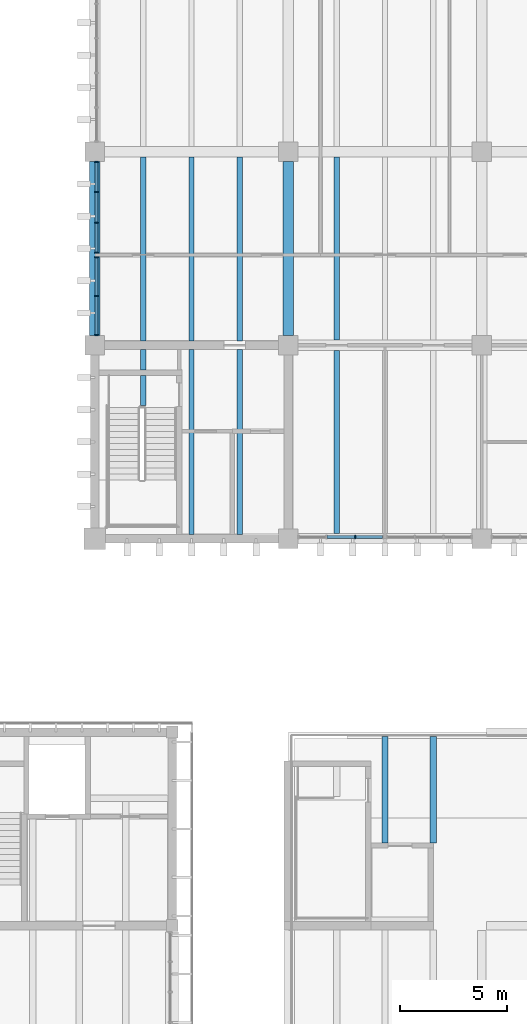
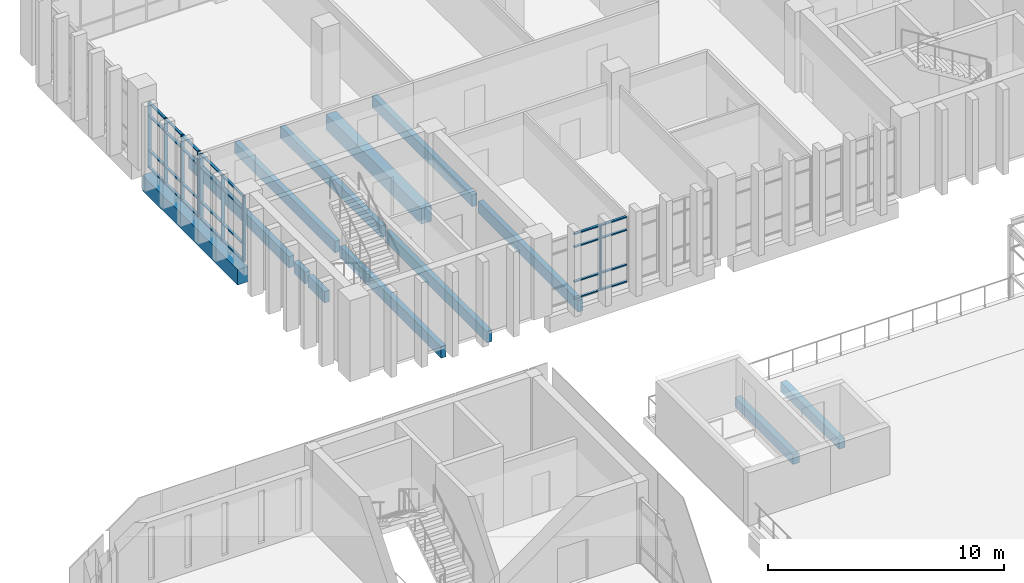
# One storey, part 23 of 74: 36 members, 13 beams, 3 elements without a shape of their own.
"""IFC4 building model written with IfcOpenShell, lengths in metres."""

from ifc_helpers import new_model, si_unit, direction, frame, origin, origin_2d, place, context, subcontext, project, spatial, rectangle, extrude, material, material_profile, profile_set, type_object, element, aggregate, save


model = new_model("IFC4")

# Units and contexts
model_context = context("Model", 3, precision=1e-05, world=origin(), true_north=direction((0.0, 1.0)))
body_context = subcontext(model_context, "Body", "Model", "MODEL_VIEW")
ifc_project = project(units=[si_unit("LENGTHUNIT", "METRE"), si_unit("AREAUNIT", "SQUARE_METRE"), si_unit("VOLUMEUNIT", "CUBIC_METRE"), si_unit("PLANEANGLEUNIT", "RADIAN"), si_unit("MASSUNIT", "GRAM", prefix="KILO")], contexts=[model_context])

# Site, building, storey
site_placement = place(None, origin())
site = spatial("IfcSite", under=ifc_project, at=site_placement, CompositionType="ELEMENT")
building_placement = place(site_placement, origin())
building = spatial("IfcBuilding", under=site, at=building_placement, Name="Merrow Basin Faculty of Sciences", CompositionType="ELEMENT")
storey_placement = place(building_placement, frame((0.0, 0.0, 13.5)))
storey = spatial("IfcBuildingStorey", under=building, at=storey_placement, Name="L03", CompositionType="ELEMENT", Elevation=13.5)

# Curtain wall, members
ifc_material_1 = material(Name="Aluminium alloy 6063", Category="aluminium")
curtain_wall_type = type_object("IfcCurtainWallType", Name="Unitised curtain wall 160", PredefinedType="NOTDEFINED", material=ifc_material_1)
curtain_wall_1_placement = place(storey_placement, origin())
curtain_wall_1 = element("IfcCurtainWall", 1, at=curtain_wall_1_placement, inside=storey, type_object=curtain_wall_type, Name="W curtain wall L03 1", PredefinedType="NOTDEFINED")
ifc_material_2 = material(Name="Aluminium alloy 6063", Category="aluminium")
ifc_material_profile_1 = material_profile(ifc_material_2, rectangle(XDim=0.159912109375, YDim=0.06005859375, at=origin_2d()))
ifc_profile_set_1 = profile_set([ifc_material_profile_1], Name="Aluminium alloy 6063")
member_type_1 = type_object("IfcMemberType", Name="Aluminium mullion 60x160", PredefinedType="MULLION", material=ifc_profile_set_1)
member_1_placement = place(storey_placement, frame((18.080078125, 151.47998046875, 0.0), z_axis=(0.0, 0.0, 1.0), x_axis=(-1.0, 0.0, 0.0)))
member_1 = element("IfcMember", 2, at=member_1_placement, type_object=member_type_1, Name="CW3 mullion 1", PredefinedType="MULLION", context=body_context, shape_type="SweptSolid", body=[
    extrude(rectangle(XDim=0.159912109375, YDim=0.06005859375, at=origin_2d()), origin(), (0.0, 0.0, 1.0), 3.39990234375),
])
member_2_placement = place(storey_placement, frame((18.080078125, 153.28759765625, 0.0), z_axis=(0.0, 0.0, 1.0), x_axis=(-1.0, 0.0, 0.0)))
member_2 = element("IfcMember", 3, at=member_2_placement, type_object=member_type_1, Name="CW3 mullion 2", PredefinedType="MULLION", context=body_context, shape_type="SweptSolid", body=[
    extrude(rectangle(XDim=0.159912109375, YDim=0.06005859375, at=origin_2d()), origin(), (0.0, 0.0, 1.0), 3.39990234375),
])
member_3_placement = place(storey_placement, frame((18.080078125, 155.094970703125, 0.0), z_axis=(0.0, 0.0, 1.0), x_axis=(-1.0, 0.0, 0.0)))
member_3 = element("IfcMember", 4, at=member_3_placement, type_object=member_type_1, Name="CW3 mullion 3", PredefinedType="MULLION", context=body_context, shape_type="SweptSolid", body=[
    extrude(rectangle(XDim=0.159912109375, YDim=0.06005859375, at=origin_2d()), origin(), (0.0, 0.0, 1.0), 3.39990234375),
])

curtain_wall_2_placement = place(storey_placement, origin())
curtain_wall_2 = element("IfcCurtainWall", 5, at=curtain_wall_2_placement, inside=storey, type_object=curtain_wall_type, Name="W curtain wall L03 2", PredefinedType="NOTDEFINED")
member_4_placement = place(storey_placement, frame((18.080078125, 155.304931640625, 0.0), z_axis=(0.0, 0.0, 1.0), x_axis=(-1.0, 0.0, 0.0)))
member_4 = element("IfcMember", 6, at=member_4_placement, type_object=member_type_1, Name="CW3 mullion 1", PredefinedType="MULLION", context=body_context, shape_type="SweptSolid", body=[
    extrude(rectangle(XDim=0.159912109375, YDim=0.06005859375, at=origin_2d()), origin(), (0.0, 0.0, 1.0), 3.39990234375),
])
member_5_placement = place(storey_placement, frame((18.080078125, 156.699951171875, 0.0), z_axis=(0.0, 0.0, 1.0), x_axis=(-1.0, 0.0, 0.0)))
member_5 = element("IfcMember", 7, at=member_5_placement, type_object=member_type_1, Name="CW3 mullion 2", PredefinedType="MULLION", context=body_context, shape_type="SweptSolid", body=[
    extrude(rectangle(XDim=0.159912109375, YDim=0.06005859375, at=origin_2d()), origin(), (0.0, 0.0, 1.0), 3.39990234375),
])
member_6_placement = place(storey_placement, frame((18.080078125, 158.125, 0.0), z_axis=(0.0, 0.0, 1.0), x_axis=(-1.0, 0.0, 0.0)))
member_6 = element("IfcMember", 8, at=member_6_placement, type_object=member_type_1, Name="CW3 mullion 3", PredefinedType="MULLION", context=body_context, shape_type="SweptSolid", body=[
    extrude(rectangle(XDim=0.159912109375, YDim=0.06005859375, at=origin_2d()), origin(), (0.0, 0.0, 1.0), 3.39990234375),
])
member_7_placement = place(storey_placement, frame((18.080078125, 159.52001953125, 0.0), z_axis=(0.0, 0.0, 1.0), x_axis=(-1.0, 0.0, 0.0)))
member_7 = element("IfcMember", 9, at=member_7_placement, type_object=member_type_1, Name="CW3 mullion 4", PredefinedType="MULLION", context=body_context, shape_type="SweptSolid", body=[
    extrude(rectangle(XDim=0.159912109375, YDim=0.06005859375, at=origin_2d()), origin(), (0.0, 0.0, 1.0), 3.39990234375),
])

# Curtain wall, member
curtain_wall_3_placement = place(storey_placement, origin())
curtain_wall_3 = element("IfcCurtainWall", 10, at=curtain_wall_3_placement, inside=storey, type_object=curtain_wall_type, Name="S curtain wall L03 1", PredefinedType="NOTDEFINED")
member_8_placement = place(storey_placement, frame((30.11669921875, 142.080078125, 0.0), z_axis=(0.0, 0.0, 1.0), x_axis=(0.0, 1.0, 0.0)))
member_8 = element("IfcMember", 11, at=member_8_placement, type_object=member_type_1, Name="CW3 mullion 3", PredefinedType="MULLION", context=body_context, shape_type="SweptSolid", body=[
    extrude(rectangle(XDim=0.159912109375, YDim=0.06005859375, at=origin_2d()), origin(), (0.0, 0.0, 1.0), 3.39990234375),
])

# Member
ifc_material_3 = material(Name="Aluminium alloy 6063", Category="aluminium")
ifc_material_profile_2 = material_profile(ifc_material_3, rectangle(XDim=0.1201171875, YDim=0.06005859375, at=origin_2d()))
ifc_profile_set_2 = profile_set([ifc_material_profile_2], Name="Aluminium alloy 6063")
member_type_2 = type_object("IfcMemberType", Name="Aluminium transom 60x120", PredefinedType="USERDEFINED", material=ifc_profile_set_2)
member_9_placement = place(storey_placement, frame((18.080078125, 151.510009765625, 0.030029296875), z_axis=(0.0, 1.0, 0.0), x_axis=(-1.0, 0.0, 0.0)))
member_9 = element("IfcMember", 12, at=member_9_placement, type_object=member_type_2, Name="CW3 transom 1.1", ObjectType="TRANSOM", PredefinedType="USERDEFINED", context=body_context, shape_type="SweptSolid", body=[
    extrude(rectangle(XDim=0.1201171875, YDim=0.06005859375, at=origin_2d()), origin(), (0.0, 0.0, 1.0), 1.74755859375),
])

member_10_placement = place(storey_placement, frame((18.080078125, 151.510009765625, 0.89990234375), z_axis=(0.0, 1.0, 0.0), x_axis=(-1.0, 0.0, 0.0)))
member_10 = element("IfcMember", 13, at=member_10_placement, type_object=member_type_2, Name="CW3 transom 1.2", ObjectType="TRANSOM", PredefinedType="USERDEFINED", context=body_context, shape_type="SweptSolid", body=[
    extrude(rectangle(XDim=0.1201171875, YDim=0.06005859375, at=origin_2d()), origin(), (0.0, 0.0, 1.0), 1.74755859375),
])

member_11_placement = place(storey_placement, frame((18.080078125, 151.510009765625, 2.699951171875), z_axis=(0.0, 1.0, 0.0), x_axis=(-1.0, 0.0, 0.0)))
member_11 = element("IfcMember", 14, at=member_11_placement, type_object=member_type_2, Name="CW3 transom 1.3", ObjectType="TRANSOM", PredefinedType="USERDEFINED", context=body_context, shape_type="SweptSolid", body=[
    extrude(rectangle(XDim=0.1201171875, YDim=0.06005859375, at=origin_2d()), origin(), (0.0, 0.0, 1.0), 1.74755859375),
])

member_12_placement = place(storey_placement, frame((18.080078125, 151.510009765625, 3.3701171875), z_axis=(0.0, 1.0, 0.0), x_axis=(-1.0, 0.0, 0.0)))
member_12 = element("IfcMember", 15, at=member_12_placement, type_object=member_type_2, Name="CW3 transom 1.4", ObjectType="TRANSOM", PredefinedType="USERDEFINED", context=body_context, shape_type="SweptSolid", body=[
    extrude(rectangle(XDim=0.1201171875, YDim=0.06005859375, at=origin_2d()), origin(), (0.0, 0.0, 1.0), 1.74755859375),
])

member_13_placement = place(storey_placement, frame((18.080078125, 153.3173828125, 0.030029296875), z_axis=(0.0, 1.0, 0.0), x_axis=(-1.0, 0.0, 0.0)))
member_13 = element("IfcMember", 16, at=member_13_placement, type_object=member_type_2, Name="CW3 transom 2.1", ObjectType="TRANSOM", PredefinedType="USERDEFINED", context=body_context, shape_type="SweptSolid", body=[
    extrude(rectangle(XDim=0.1201171875, YDim=0.06005859375, at=origin_2d()), origin(), (0.0, 0.0, 1.0), 1.74755859375),
])

member_14_placement = place(storey_placement, frame((18.080078125, 153.3173828125, 0.89990234375), z_axis=(0.0, 1.0, 0.0), x_axis=(-1.0, 0.0, 0.0)))
member_14 = element("IfcMember", 17, at=member_14_placement, type_object=member_type_2, Name="CW3 transom 2.2", ObjectType="TRANSOM", PredefinedType="USERDEFINED", context=body_context, shape_type="SweptSolid", body=[
    extrude(rectangle(XDim=0.1201171875, YDim=0.06005859375, at=origin_2d()), origin(), (0.0, 0.0, 1.0), 1.74755859375),
])

member_15_placement = place(storey_placement, frame((18.080078125, 153.3173828125, 2.699951171875), z_axis=(0.0, 1.0, 0.0), x_axis=(-1.0, 0.0, 0.0)))
member_15 = element("IfcMember", 18, at=member_15_placement, type_object=member_type_2, Name="CW3 transom 2.3", ObjectType="TRANSOM", PredefinedType="USERDEFINED", context=body_context, shape_type="SweptSolid", body=[
    extrude(rectangle(XDim=0.1201171875, YDim=0.06005859375, at=origin_2d()), origin(), (0.0, 0.0, 1.0), 1.74755859375),
])

member_16_placement = place(storey_placement, frame((18.080078125, 153.3173828125, 3.3701171875), z_axis=(0.0, 1.0, 0.0), x_axis=(-1.0, 0.0, 0.0)))
member_16 = element("IfcMember", 19, at=member_16_placement, type_object=member_type_2, Name="CW3 transom 2.4", ObjectType="TRANSOM", PredefinedType="USERDEFINED", context=body_context, shape_type="SweptSolid", body=[
    extrude(rectangle(XDim=0.1201171875, YDim=0.06005859375, at=origin_2d()), origin(), (0.0, 0.0, 1.0), 1.74755859375),
])

aggregate(curtain_wall_1, [member_1, member_2, member_3, member_9, member_10, member_11, member_12, member_13, member_14, member_15, member_16])

member_17_placement = place(storey_placement, frame((18.080078125, 155.3349609375, 0.030029296875), z_axis=(0.0, 1.0, 0.0), x_axis=(-1.0, 0.0, 0.0)))
member_17 = element("IfcMember", 20, at=member_17_placement, type_object=member_type_2, Name="CW3 transom 1.1", ObjectType="TRANSOM", PredefinedType="USERDEFINED", context=body_context, shape_type="SweptSolid", body=[
    extrude(rectangle(XDim=0.1201171875, YDim=0.06005859375, at=origin_2d()), origin(), (0.0, 0.0, 1.0), 1.3349609375),
])

member_18_placement = place(storey_placement, frame((18.080078125, 155.3349609375, 0.89990234375), z_axis=(0.0, 1.0, 0.0), x_axis=(-1.0, 0.0, 0.0)))
member_18 = element("IfcMember", 21, at=member_18_placement, type_object=member_type_2, Name="CW3 transom 1.2", ObjectType="TRANSOM", PredefinedType="USERDEFINED", context=body_context, shape_type="SweptSolid", body=[
    extrude(rectangle(XDim=0.1201171875, YDim=0.06005859375, at=origin_2d()), origin(), (0.0, 0.0, 1.0), 1.3349609375),
])

member_19_placement = place(storey_placement, frame((18.080078125, 155.3349609375, 2.699951171875), z_axis=(0.0, 1.0, 0.0), x_axis=(-1.0, 0.0, 0.0)))
member_19 = element("IfcMember", 22, at=member_19_placement, type_object=member_type_2, Name="CW3 transom 1.3", ObjectType="TRANSOM", PredefinedType="USERDEFINED", context=body_context, shape_type="SweptSolid", body=[
    extrude(rectangle(XDim=0.1201171875, YDim=0.06005859375, at=origin_2d()), origin(), (0.0, 0.0, 1.0), 1.3349609375),
])

member_20_placement = place(storey_placement, frame((18.080078125, 155.3349609375, 3.3701171875), z_axis=(0.0, 1.0, 0.0), x_axis=(-1.0, 0.0, 0.0)))
member_20 = element("IfcMember", 23, at=member_20_placement, type_object=member_type_2, Name="CW3 transom 1.4", ObjectType="TRANSOM", PredefinedType="USERDEFINED", context=body_context, shape_type="SweptSolid", body=[
    extrude(rectangle(XDim=0.1201171875, YDim=0.06005859375, at=origin_2d()), origin(), (0.0, 0.0, 1.0), 1.3349609375),
])

member_21_placement = place(storey_placement, frame((18.080078125, 156.72998046875, 0.030029296875), z_axis=(0.0, 1.0, 0.0), x_axis=(-1.0, 0.0, 0.0)))
member_21 = element("IfcMember", 24, at=member_21_placement, type_object=member_type_2, Name="CW3 transom 2.1", ObjectType="TRANSOM", PredefinedType="USERDEFINED", context=body_context, shape_type="SweptSolid", body=[
    extrude(rectangle(XDim=0.1201171875, YDim=0.06005859375, at=origin_2d()), origin(), (0.0, 0.0, 1.0), 1.364990234375),
])

member_22_placement = place(storey_placement, frame((18.080078125, 156.72998046875, 0.89990234375), z_axis=(0.0, 1.0, 0.0), x_axis=(-1.0, 0.0, 0.0)))
member_22 = element("IfcMember", 25, at=member_22_placement, type_object=member_type_2, Name="CW3 transom 2.2", ObjectType="TRANSOM", PredefinedType="USERDEFINED", context=body_context, shape_type="SweptSolid", body=[
    extrude(rectangle(XDim=0.1201171875, YDim=0.06005859375, at=origin_2d()), origin(), (0.0, 0.0, 1.0), 1.364990234375),
])

member_23_placement = place(storey_placement, frame((18.080078125, 156.72998046875, 2.699951171875), z_axis=(0.0, 1.0, 0.0), x_axis=(-1.0, 0.0, 0.0)))
member_23 = element("IfcMember", 26, at=member_23_placement, type_object=member_type_2, Name="CW3 transom 2.3", ObjectType="TRANSOM", PredefinedType="USERDEFINED", context=body_context, shape_type="SweptSolid", body=[
    extrude(rectangle(XDim=0.1201171875, YDim=0.06005859375, at=origin_2d()), origin(), (0.0, 0.0, 1.0), 1.364990234375),
])

member_24_placement = place(storey_placement, frame((18.080078125, 156.72998046875, 3.3701171875), z_axis=(0.0, 1.0, 0.0), x_axis=(-1.0, 0.0, 0.0)))
member_24 = element("IfcMember", 27, at=member_24_placement, type_object=member_type_2, Name="CW3 transom 2.4", ObjectType="TRANSOM", PredefinedType="USERDEFINED", context=body_context, shape_type="SweptSolid", body=[
    extrude(rectangle(XDim=0.1201171875, YDim=0.06005859375, at=origin_2d()), origin(), (0.0, 0.0, 1.0), 1.364990234375),
])

member_25_placement = place(storey_placement, frame((18.080078125, 158.155029296875, 0.030029296875), z_axis=(0.0, 1.0, 0.0), x_axis=(-1.0, 0.0, 0.0)))
member_25 = element("IfcMember", 28, at=member_25_placement, type_object=member_type_2, Name="CW3 transom 3.1", ObjectType="TRANSOM", PredefinedType="USERDEFINED", context=body_context, shape_type="SweptSolid", body=[
    extrude(rectangle(XDim=0.1201171875, YDim=0.06005859375, at=origin_2d()), origin(), (0.0, 0.0, 1.0), 1.3349609375),
])

member_26_placement = place(storey_placement, frame((18.080078125, 158.155029296875, 0.89990234375), z_axis=(0.0, 1.0, 0.0), x_axis=(-1.0, 0.0, 0.0)))
member_26 = element("IfcMember", 29, at=member_26_placement, type_object=member_type_2, Name="CW3 transom 3.2", ObjectType="TRANSOM", PredefinedType="USERDEFINED", context=body_context, shape_type="SweptSolid", body=[
    extrude(rectangle(XDim=0.1201171875, YDim=0.06005859375, at=origin_2d()), origin(), (0.0, 0.0, 1.0), 1.3349609375),
])

member_27_placement = place(storey_placement, frame((18.080078125, 158.155029296875, 2.699951171875), z_axis=(0.0, 1.0, 0.0), x_axis=(-1.0, 0.0, 0.0)))
member_27 = element("IfcMember", 30, at=member_27_placement, type_object=member_type_2, Name="CW3 transom 3.3", ObjectType="TRANSOM", PredefinedType="USERDEFINED", context=body_context, shape_type="SweptSolid", body=[
    extrude(rectangle(XDim=0.1201171875, YDim=0.06005859375, at=origin_2d()), origin(), (0.0, 0.0, 1.0), 1.3349609375),
])

member_28_placement = place(storey_placement, frame((18.080078125, 158.155029296875, 3.3701171875), z_axis=(0.0, 1.0, 0.0), x_axis=(-1.0, 0.0, 0.0)))
member_28 = element("IfcMember", 31, at=member_28_placement, type_object=member_type_2, Name="CW3 transom 3.4", ObjectType="TRANSOM", PredefinedType="USERDEFINED", context=body_context, shape_type="SweptSolid", body=[
    extrude(rectangle(XDim=0.1201171875, YDim=0.06005859375, at=origin_2d()), origin(), (0.0, 0.0, 1.0), 1.3349609375),
])

aggregate(curtain_wall_2, [member_4, member_5, member_6, member_7, member_17, member_18, member_19, member_20, member_21, member_22, member_23, member_24, member_25, member_26, member_27, member_28])

member_29_placement = place(storey_placement, frame((28.813232421875, 142.080078125, 0.030029296875), z_axis=(1.0, 0.0, 0.0), x_axis=(0.0, 1.0, 0.0)))
member_29 = element("IfcMember", 32, at=member_29_placement, type_object=member_type_2, Name="CW3 transom 2.1", ObjectType="TRANSOM", PredefinedType="USERDEFINED", context=body_context, shape_type="SweptSolid", body=[
    extrude(rectangle(XDim=0.1201171875, YDim=0.06005859375, at=origin_2d()), origin(), (0.0, 0.0, 1.0), 1.2734375),
])

member_30_placement = place(storey_placement, frame((28.813232421875, 142.080078125, 0.89990234375), z_axis=(1.0, 0.0, 0.0), x_axis=(0.0, 1.0, 0.0)))
member_30 = element("IfcMember", 33, at=member_30_placement, type_object=member_type_2, Name="CW3 transom 2.2", ObjectType="TRANSOM", PredefinedType="USERDEFINED", context=body_context, shape_type="SweptSolid", body=[
    extrude(rectangle(XDim=0.1201171875, YDim=0.06005859375, at=origin_2d()), origin(), (0.0, 0.0, 1.0), 1.2734375),
])

member_31_placement = place(storey_placement, frame((28.813232421875, 142.080078125, 2.699951171875), z_axis=(1.0, 0.0, 0.0), x_axis=(0.0, 1.0, 0.0)))
member_31 = element("IfcMember", 34, at=member_31_placement, type_object=member_type_2, Name="CW3 transom 2.3", ObjectType="TRANSOM", PredefinedType="USERDEFINED", context=body_context, shape_type="SweptSolid", body=[
    extrude(rectangle(XDim=0.1201171875, YDim=0.06005859375, at=origin_2d()), origin(), (0.0, 0.0, 1.0), 1.2734375),
])

member_32_placement = place(storey_placement, frame((28.813232421875, 142.080078125, 3.3701171875), z_axis=(1.0, 0.0, 0.0), x_axis=(0.0, 1.0, 0.0)))
member_32 = element("IfcMember", 35, at=member_32_placement, type_object=member_type_2, Name="CW3 transom 2.4", ObjectType="TRANSOM", PredefinedType="USERDEFINED", context=body_context, shape_type="SweptSolid", body=[
    extrude(rectangle(XDim=0.1201171875, YDim=0.06005859375, at=origin_2d()), origin(), (0.0, 0.0, 1.0), 1.2734375),
])

member_33_placement = place(storey_placement, frame((30.146728515625, 142.080078125, 0.030029296875), z_axis=(1.0, 0.0, 0.0), x_axis=(0.0, 1.0, 0.0)))
member_33 = element("IfcMember", 36, at=member_33_placement, type_object=member_type_2, Name="CW3 transom 3.1", ObjectType="TRANSOM", PredefinedType="USERDEFINED", context=body_context, shape_type="SweptSolid", body=[
    extrude(rectangle(XDim=0.1201171875, YDim=0.06005859375, at=origin_2d()), origin(), (0.0, 0.0, 1.0), 1.2431640625),
])

member_34_placement = place(storey_placement, frame((30.146728515625, 142.080078125, 0.89990234375), z_axis=(1.0, 0.0, 0.0), x_axis=(0.0, 1.0, 0.0)))
member_34 = element("IfcMember", 37, at=member_34_placement, type_object=member_type_2, Name="CW3 transom 3.2", ObjectType="TRANSOM", PredefinedType="USERDEFINED", context=body_context, shape_type="SweptSolid", body=[
    extrude(rectangle(XDim=0.1201171875, YDim=0.06005859375, at=origin_2d()), origin(), (0.0, 0.0, 1.0), 1.2431640625),
])

member_35_placement = place(storey_placement, frame((30.146728515625, 142.080078125, 2.699951171875), z_axis=(1.0, 0.0, 0.0), x_axis=(0.0, 1.0, 0.0)))
member_35 = element("IfcMember", 38, at=member_35_placement, type_object=member_type_2, Name="CW3 transom 3.3", ObjectType="TRANSOM", PredefinedType="USERDEFINED", context=body_context, shape_type="SweptSolid", body=[
    extrude(rectangle(XDim=0.1201171875, YDim=0.06005859375, at=origin_2d()), origin(), (0.0, 0.0, 1.0), 1.2431640625),
])

member_36_placement = place(storey_placement, frame((30.146728515625, 142.080078125, 3.3701171875), z_axis=(1.0, 0.0, 0.0), x_axis=(0.0, 1.0, 0.0)))
member_36 = element("IfcMember", 39, at=member_36_placement, type_object=member_type_2, Name="CW3 transom 3.4", ObjectType="TRANSOM", PredefinedType="USERDEFINED", context=body_context, shape_type="SweptSolid", body=[
    extrude(rectangle(XDim=0.1201171875, YDim=0.06005859375, at=origin_2d()), origin(), (0.0, 0.0, 1.0), 1.2431640625),
])

aggregate(curtain_wall_3, [member_8, member_29, member_30, member_31, member_32, member_33, member_34, member_35, member_36])

# Beams
ifc_material_4 = material(Name="Concrete C40/50", Category="concrete")
ifc_material_profile_3 = material_profile(ifc_material_4, rectangle(XDim=0.5, YDim=0.800048828125, at=origin_2d()))
ifc_profile_set_3 = profile_set([ifc_material_profile_3], Name="Concrete C40/50")
beam_type_1 = type_object("IfcBeamType", Name="Beam RC500x800 C40/50", PredefinedType="BEAM", material=ifc_profile_set_3)
for number, where, z_axis, x_axis, name in (
    (40, (18.0, 151.449951171875, -0.699951171875), (0.0, 1.0, 0.0), (-1.0, 0.0, 0.0), "B4 L03 013"),
    (41, (27.0, 151.449951171875, -0.699951171875), (0.0, 1.0, 0.0), (-1.0, 0.0, 0.0), "B4 L03 015"),
):
    element("IfcBeam", number, at=place(storey_placement, frame(where, z_axis=z_axis, x_axis=x_axis)), inside=storey, type_object=beam_type_1, Name=name, PredefinedType="BEAM", context=body_context, shape_type="SweptSolid", body=[
        extrude(rectangle(XDim=0.5, YDim=0.800048828125, at=origin_2d()), origin(), (0.0, 0.0, 1.0), 8.10009765625),
    ])
ifc_material_5 = material(Name="Concrete C40/50", Category="concrete")
ifc_material_profile_4 = material_profile(ifc_material_5, rectangle(XDim=0.300048828125, YDim=0.5, at=origin_2d()))
ifc_profile_set_4 = profile_set([ifc_material_profile_4], Name="Concrete C40/50")
beam_type_2 = type_object("IfcBeamType", Name="Terrace roof joist RC300x500 C40/50", PredefinedType="BEAM", material=ifc_profile_set_4)
for number, where, z_axis, x_axis, name in (
    (42, (31.5, 127.85009765625, -0.60009765625), (0.0, 1.0, 0.0), (-1.0, 0.0, 0.0), "JD1 L03 057"),
    (43, (33.75, 127.85009765625, -0.60009765625), (0.0, 1.0, 0.0), (-1.0, 0.0, 0.0), "JD1 L03 058"),
):
    element("IfcBeam", number, at=place(storey_placement, frame(where, z_axis=z_axis, x_axis=x_axis)), inside=storey, type_object=beam_type_2, Name=name, PredefinedType="BEAM", context=body_context, shape_type="SweptSolid", body=[
        extrude(rectangle(XDim=0.300048828125, YDim=0.5, at=origin_2d()), origin(), (0.0, 0.0, 1.0), 4.949951171875),
    ])
ifc_material_6 = material(Name="Concrete C40/50", Category="concrete")
ifc_material_profile_5 = material_profile(ifc_material_6, rectangle(XDim=0.25, YDim=0.60009765625, at=origin_2d()))
ifc_profile_set_5 = profile_set([ifc_material_profile_5], Name="Concrete C40/50")
beam_type_3 = type_object("IfcBeamType", Name="Tower floor joist RC250x600 C40/50", PredefinedType="BEAM", material=ifc_profile_set_5)
beam_1_placement = place(storey_placement, frame((20.25, 148.199951171875, -0.60009765625), z_axis=(0.0, 1.0, 0.0), x_axis=(-1.0, 0.0, 0.0)))
element("IfcBeam", 44, at=beam_1_placement, inside=storey, type_object=beam_type_3, Name="JT1 L03 022", PredefinedType="BEAM", context=body_context, shape_type="SweptSolid", body=[
    extrude(rectangle(XDim=0.25, YDim=0.60009765625, at=origin_2d()), origin(), (0.0, 0.0, 1.0), 1.400146484375),
])
beam_2_placement = place(storey_placement, frame((20.25, 149.85009765625, -0.60009765625), z_axis=(0.0, 1.0, 0.0), x_axis=(-1.0, 0.0, 0.0)))
element("IfcBeam", 45, at=beam_2_placement, inside=storey, type_object=beam_type_3, Name="JT1 L03 023", PredefinedType="BEAM", context=body_context, shape_type="SweptSolid", body=[
    extrude(rectangle(XDim=0.25, YDim=0.60009765625, at=origin_2d()), origin(), (0.0, 0.0, 1.0), 0.949951171875),
])
for number, where, z_axis, x_axis, name in (
    (46, (22.5, 142.199951171875, -0.60009765625), (0.0, 1.0, 0.0), (-1.0, 0.0, 0.0), "JT1 L03 024"),
    (47, (24.75, 142.199951171875, -0.60009765625), (0.0, 1.0, 0.0), (-1.0, 0.0, 0.0), "JT1 L03 025"),
):
    element("IfcBeam", number, at=place(storey_placement, frame(where, z_axis=z_axis, x_axis=x_axis)), inside=storey, type_object=beam_type_3, Name=name, PredefinedType="BEAM", context=body_context, shape_type="SweptSolid", body=[
        extrude(rectangle(XDim=0.25, YDim=0.60009765625, at=origin_2d()), origin(), (0.0, 0.0, 1.0), 8.60009765625),
    ])
for number, where, z_axis, x_axis, name in (
    (48, (20.25, 151.199951171875, -0.60009765625), (0.0, 1.0, 0.0), (-1.0, 0.0, 0.0), "JT1 L03 026"),
    (49, (22.5, 151.199951171875, -0.60009765625), (0.0, 1.0, 0.0), (-1.0, 0.0, 0.0), "JT1 L03 027"),
    (50, (24.75, 151.199951171875, -0.60009765625), (0.0, 1.0, 0.0), (-1.0, 0.0, 0.0), "JT1 L03 028"),
):
    element("IfcBeam", number, at=place(storey_placement, frame(where, z_axis=z_axis, x_axis=x_axis)), inside=storey, type_object=beam_type_3, Name=name, PredefinedType="BEAM", context=body_context, shape_type="SweptSolid", body=[
        extrude(rectangle(XDim=0.25, YDim=0.60009765625, at=origin_2d()), origin(), (0.0, 0.0, 1.0), 8.550048828125),
    ])
for number, where, z_axis, x_axis, name in (
    (51, (29.25, 142.25, -0.60009765625), (0.0, 1.0, 0.0), (-1.0, 0.0, 0.0), "JT1 L03 032"),
    (52, (29.25, 151.25, -0.60009765625), (0.0, 1.0, 0.0), (-1.0, 0.0, 0.0), "JT1 L03 035"),
):
    element("IfcBeam", number, at=place(storey_placement, frame(where, z_axis=z_axis, x_axis=x_axis)), inside=storey, type_object=beam_type_3, Name=name, PredefinedType="BEAM", context=body_context, shape_type="SweptSolid", body=[
        extrude(rectangle(XDim=0.25, YDim=0.60009765625, at=origin_2d()), origin(), (0.0, 0.0, 1.0), 8.5),
    ])

save(model, "model.ifc")
